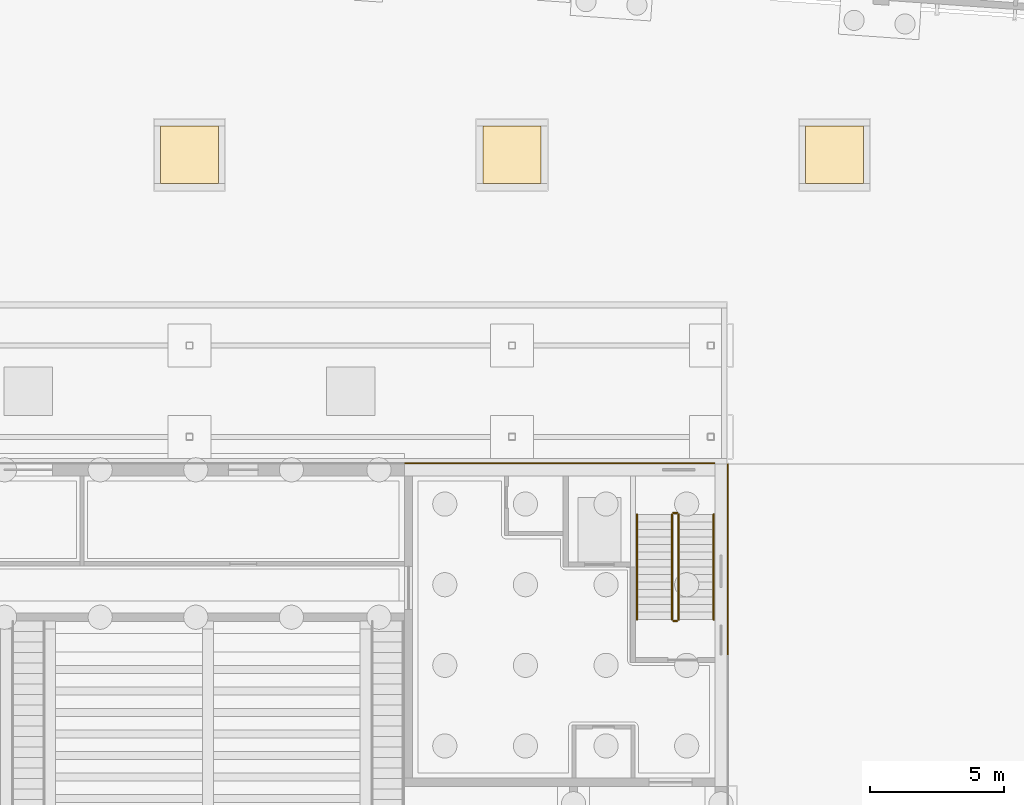
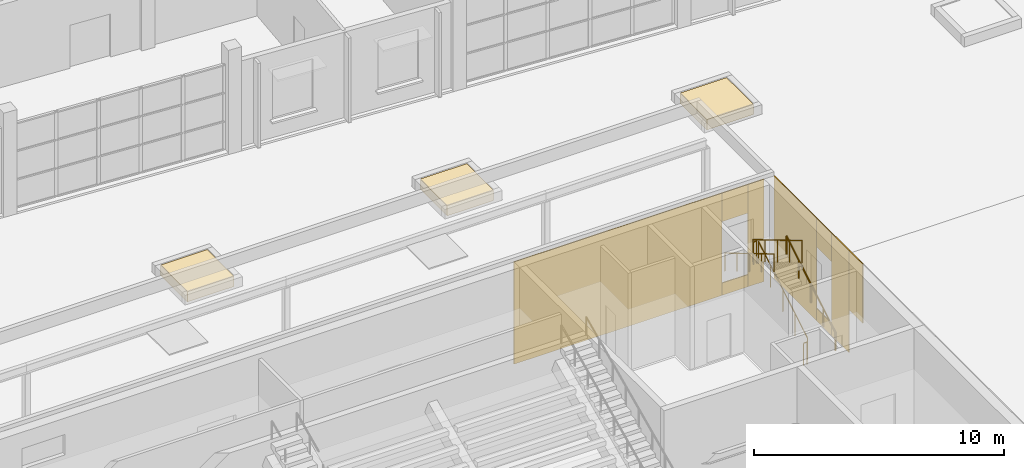
# One storey, part 151 of 157: 12 coverings, 6 railings.
"""IFC4 building model written with IfcOpenShell, lengths in metres."""

from ifc_helpers import new_model, si_unit, direction, frame, origin, origin_2d, place, context, subcontext, project, spatial, polyline, circle, outline, extrude, material, layer, layer_set, type_object, element, save


model = new_model("IFC4")

# Units and contexts
model_context = context("Model", 3, precision=1e-05, world=origin(), true_north=direction((0.0, 1.0)))
body_context = subcontext(model_context, "Body", "Model", "MODEL_VIEW")
ifc_project = project(units=[si_unit("LENGTHUNIT", "METRE"), si_unit("AREAUNIT", "SQUARE_METRE"), si_unit("VOLUMEUNIT", "CUBIC_METRE"), si_unit("PLANEANGLEUNIT", "RADIAN"), si_unit("MASSUNIT", "GRAM", prefix="KILO")], contexts=[model_context])

# Site, building, storey
site_placement = place(None, origin())
site = spatial("IfcSite", under=ifc_project, at=site_placement, CompositionType="ELEMENT")
building_placement = place(site_placement, origin())
building = spatial("IfcBuilding", under=site, at=building_placement, Name="Windward Yard Aquatics Centre", CompositionType="ELEMENT")
storey_placement = place(building_placement, origin())
storey = spatial("IfcBuildingStorey", under=building, at=storey_placement, Name="L00", CompositionType="ELEMENT", Elevation=0.0)

# Railings
ifc_material_1 = material(Name="Stainless steel 1.4529", Category="steel")
railing_type_1 = type_object("IfcRailingType", Name="H Guard Steel 1100", PredefinedType="GUARDRAIL", material=ifc_material_1)
railing_1_placement = place(storey_placement, frame((150.199951171875, 90.199951171875, 0.166748046875)))
element("IfcRailing", 1, at=railing_1_placement, inside=storey, type_object=railing_type_1, Name="L00 ST4 stair guard 1", PredefinedType="GUARDRAIL", context=body_context, shape_type="SweptSolid", body=[
    extrude(circle(Radius=0.02392578125, at=origin_2d()), frame((0.0, 0.0, 1.076171875), z_axis=(0.0, 0.859310244771, 0.511454693235), x_axis=(-1.0, 0.0, 0.0)), (0.0, 0.0, 1.0), 4.56201171875),
    extrude(circle(Radius=0.02099609375, at=origin_2d()), origin(), (0.0, 0.0, 1.0), 1.052001953125),
    extrude(circle(Radius=0.02099609375, at=origin_2d()), frame((0.0, 0.97998046875, 0.583251953125)), (0.0, 0.0, 1.0), 1.052001953125),
    extrude(circle(Radius=0.02099609375, at=origin_2d()), frame((0.0, 1.9599609375, 1.16650390625)), (0.0, 0.0, 1.0), 1.052001953125),
    extrude(circle(Radius=0.02099609375, at=origin_2d()), frame((0.0, 2.940185546875, 1.75)), (0.0, 0.0, 1.0), 1.052001953125),
    extrude(circle(Radius=0.02099609375, at=origin_2d()), frame((0.0, 3.920166015625, 2.333251953125)), (0.0, 0.0, 1.0), 1.052001953125),
])
railing_2_placement = place(storey_placement, frame((150.14990234375, 94.169921875, 2.5)))
element("IfcRailing", 2, at=railing_2_placement, inside=storey, type_object=railing_type_1, Name="L00 ST4 stair guard 2", PredefinedType="GUARDRAIL", context=body_context, shape_type="SweptSolid", body=[
    extrude(circle(Radius=0.02392578125, at=origin_2d()), frame((0.0, 0.0, 1.076171875), z_axis=(-1.0, 0.0, 0.0), x_axis=(0.0, -1.0, 0.0)), (0.0, 0.0, 1.0), 0.14990234375),
    extrude(circle(Radius=0.02099609375, at=origin_2d()), origin(), (0.0, 0.0, 1.0), 1.052001953125),
    extrude(circle(Radius=0.02099609375, at=origin_2d()), frame((-0.14990234375, 0.0, 0.0)), (0.0, 0.0, 1.0), 1.052001953125),
])
railing_3_placement = place(storey_placement, frame((149.949951171875, 94.1201171875, 2.666748046875)))
element("IfcRailing", 3, at=railing_3_placement, inside=storey, type_object=railing_type_1, Name="L00 ST4 stair guard 3", PredefinedType="GUARDRAIL", context=body_context, shape_type="SweptSolid", body=[
    extrude(circle(Radius=0.02392578125, at=origin_2d()), frame((0.0, 0.0, 1.076171875), z_axis=(0.0, -0.859310244771, 0.511454693235), x_axis=(1.0, 0.0, 0.0)), (0.0, 0.0, 1.0), 4.56201171875),
    extrude(circle(Radius=0.02099609375, at=origin_2d()), origin(), (0.0, 0.0, 1.0), 1.052001953125),
    extrude(circle(Radius=0.02099609375, at=origin_2d()), frame((0.0, -0.97998046875, 0.583251953125)), (0.0, 0.0, 1.0), 1.052001953125),
    extrude(circle(Radius=0.02099609375, at=origin_2d()), frame((0.0, -1.9599609375, 1.16650390625)), (0.0, 0.0, 1.0), 1.052001953125),
    extrude(circle(Radius=0.02099609375, at=origin_2d()), frame((0.0, -2.940185546875, 1.75)), (0.0, 0.0, 1.0), 1.052001953125),
    extrude(circle(Radius=0.02099609375, at=origin_2d()), frame((0.0, -3.920166015625, 2.333251953125)), (0.0, 0.0, 1.0), 1.052001953125),
])
railing_4_placement = place(storey_placement, frame((150.14990234375, 90.14990234375, 0.0)))
element("IfcRailing", 4, at=railing_4_placement, inside=storey, type_object=railing_type_1, Name="L00 ST4 stair guard 4", PredefinedType="GUARDRAIL", context=body_context, shape_type="SweptSolid", body=[
    extrude(circle(Radius=0.02392578125, at=origin_2d()), frame((0.0, 0.0, 1.076171875), z_axis=(-1.0, 0.0, 0.0), x_axis=(0.0, -1.0, 0.0)), (0.0, 0.0, 1.0), 0.14990234375),
    extrude(circle(Radius=0.02099609375, at=origin_2d()), origin(), (0.0, 0.0, 1.0), 1.052001953125),
    extrude(circle(Radius=0.02099609375, at=origin_2d()), frame((-0.14990234375, 0.0, 0.0)), (0.0, 0.0, 1.0), 1.052001953125),
])
railing_type_2 = type_object("IfcRailingType", Name="H Handrail Steel 900", PredefinedType="HANDRAIL", material=ifc_material_1)
railing_5_placement = place(storey_placement, frame((151.5, 90.199951171875, 0.166748046875)))
element("IfcRailing", 5, at=railing_5_placement, inside=storey, type_object=railing_type_2, Name="L00 ST4 stair handrail 1", PredefinedType="HANDRAIL", context=body_context, shape_type="SweptSolid", body=[
    extrude(circle(Radius=0.02392578125, at=origin_2d()), frame((0.0, 0.0, 0.8759765625), z_axis=(0.0, 0.859310244771, 0.511454693235), x_axis=(-1.0, 0.0, 0.0)), (0.0, 0.0, 1.0), 4.56201171875),
    extrude(circle(Radius=0.02099609375, at=origin_2d()), origin(), (0.0, 0.0, 1.0), 0.851806640625),
    extrude(circle(Radius=0.02099609375, at=origin_2d()), frame((0.0, 0.97998046875, 0.583251953125)), (0.0, 0.0, 1.0), 0.851806640625),
    extrude(circle(Radius=0.02099609375, at=origin_2d()), frame((0.0, 1.9599609375, 1.16650390625)), (0.0, 0.0, 1.0), 0.851806640625),
    extrude(circle(Radius=0.02099609375, at=origin_2d()), frame((0.0, 2.940185546875, 1.75)), (0.0, 0.0, 1.0), 0.851806640625),
    extrude(circle(Radius=0.02099609375, at=origin_2d()), frame((0.0, 3.920166015625, 2.333251953125)), (0.0, 0.0, 1.0), 0.851806640625),
])
railing_6_placement = place(storey_placement, frame((148.64990234375, 94.1201171875, 2.666748046875)))
element("IfcRailing", 6, at=railing_6_placement, inside=storey, type_object=railing_type_2, Name="L00 ST4 stair handrail 2", PredefinedType="HANDRAIL", context=body_context, shape_type="SweptSolid", body=[
    extrude(circle(Radius=0.02392578125, at=origin_2d()), frame((0.0, 0.0, 0.8759765625), z_axis=(0.0, -0.859310244771, 0.511454693235), x_axis=(1.0, 0.0, 0.0)), (0.0, 0.0, 1.0), 4.56201171875),
    extrude(circle(Radius=0.02099609375, at=origin_2d()), origin(), (0.0, 0.0, 1.0), 0.851806640625),
    extrude(circle(Radius=0.02099609375, at=origin_2d()), frame((0.0, -0.97998046875, 0.583251953125)), (0.0, 0.0, 1.0), 0.851806640625),
    extrude(circle(Radius=0.02099609375, at=origin_2d()), frame((0.0, -1.9599609375, 1.16650390625)), (0.0, 0.0, 1.0), 0.851806640625),
    extrude(circle(Radius=0.02099609375, at=origin_2d()), frame((0.0, -2.940185546875, 1.75)), (0.0, 0.0, 1.0), 0.851806640625),
    extrude(circle(Radius=0.02099609375, at=origin_2d()), frame((0.0, -3.920166015625, 2.333251953125)), (0.0, 0.0, 1.0), 0.851806640625),
])

# Coverings
ifc_material_2 = material(Name="Natural limestone cladding", Category="masonry")
ifc_layer_1 = layer(ifc_material_2, 0.0400390625)
ifc_layer_set_1 = layer_set([ifc_layer_1], Name="H natural stone cladding 40")
covering_type_1 = type_object("IfcCoveringType", Name="H natural stone cladding 40", PredefinedType="CLADDING", material=ifc_layer_set_1)
covering_1_placement = place(storey_placement, origin())
element("IfcCovering", 7, at=covering_1_placement, inside=storey, type_object=covering_type_1, Name="Stone cladding panel 12", PredefinedType="CLADDING", context=body_context, shape_type="SweptSolid", body=[
    extrude(outline(polyline([(152.0, 92.60009765625), (152.0400390625, 92.60009765625), (152.0400390625, 96.0), (152.0, 96.0), (152.0, 92.60009765625)])), origin(), (0.0, 0.0, 1.0), 5.0),
])
covering_2_placement = place(storey_placement, origin())
element("IfcCovering", 8, at=covering_2_placement, inside=storey, type_object=covering_type_1, Name="Stone cladding panel 13", PredefinedType="CLADDING", context=body_context, shape_type="SweptSolid", body=[
    extrude(outline(polyline([(152.0, 91.39990234375), (152.0400390625, 91.39990234375), (152.0400390625, 92.60009765625), (152.0, 92.60009765625), (152.0, 91.39990234375)])), origin(), (0.0, 0.0, 1.0), 0.60009765625),
])
covering_3_placement = place(storey_placement, frame((0.0, 0.0, 3.60009765625)))
element("IfcCovering", 9, at=covering_3_placement, inside=storey, type_object=covering_type_1, Name="Stone cladding panel 14", PredefinedType="CLADDING", context=body_context, shape_type="SweptSolid", body=[
    extrude(outline(polyline([(152.0, 91.39990234375), (152.0400390625, 91.39990234375), (152.0400390625, 92.60009765625), (152.0, 92.60009765625), (152.0, 91.39990234375)])), origin(), (0.0, 0.0, 1.0), 1.39990234375),
])
covering_4_placement = place(storey_placement, origin())
element("IfcCovering", 10, at=covering_4_placement, inside=storey, type_object=covering_type_1, Name="Stone cladding panel 15", PredefinedType="CLADDING", context=body_context, shape_type="SweptSolid", body=[
    extrude(outline(polyline([(152.0, 90.0), (152.0400390625, 90.0), (152.0400390625, 91.39990234375), (152.0, 91.39990234375), (152.0, 90.0)])), origin(), (0.0, 0.0, 1.0), 5.0),
])
covering_5_placement = place(storey_placement, frame((0.0, 0.0, 2.10009765625)))
element("IfcCovering", 11, at=covering_5_placement, inside=storey, type_object=covering_type_1, Name="Stone cladding panel 16", PredefinedType="CLADDING", context=body_context, shape_type="SweptSolid", body=[
    extrude(outline(polyline([(152.0, 88.89990234375), (152.0400390625, 88.89990234375), (152.0400390625, 90.0), (152.0, 90.0), (152.0, 88.89990234375)])), origin(), (0.0, 0.0, 1.0), 2.89990234375),
])
covering_6_placement = place(storey_placement, origin())
element("IfcCovering", 12, at=covering_6_placement, inside=storey, type_object=covering_type_1, Name="Stone cladding panel 38", PredefinedType="CLADDING", context=body_context, shape_type="SweptSolid", body=[
    extrude(outline(polyline([(150.800048828125, 96.0), (150.800048828125, 96.0400390625), (151.550048828125, 96.0400390625), (151.550048828125, 96.0), (150.800048828125, 96.0)])), origin(), (0.0, 0.0, 1.0), 5.0),
])
covering_7_placement = place(storey_placement, origin())
element("IfcCovering", 13, at=covering_7_placement, inside=storey, type_object=covering_type_1, Name="Stone cladding panel 39", PredefinedType="CLADDING", context=body_context, shape_type="SweptSolid", body=[
    extrude(outline(polyline([(149.60009765625, 96.0), (149.60009765625, 96.0400390625), (150.800048828125, 96.0400390625), (150.800048828125, 96.0), (149.60009765625, 96.0)])), origin(), (0.0, 0.0, 1.0), 0.60009765625),
])
covering_8_placement = place(storey_placement, frame((0.0, 0.0, 3.60009765625)))
element("IfcCovering", 14, at=covering_8_placement, inside=storey, type_object=covering_type_1, Name="Stone cladding panel 40", PredefinedType="CLADDING", context=body_context, shape_type="SweptSolid", body=[
    extrude(outline(polyline([(149.60009765625, 96.0), (149.60009765625, 96.0400390625), (150.800048828125, 96.0400390625), (150.800048828125, 96.0), (149.60009765625, 96.0)])), origin(), (0.0, 0.0, 1.0), 1.39990234375),
])
covering_9_placement = place(storey_placement, origin())
element("IfcCovering", 15, at=covering_9_placement, inside=storey, type_object=covering_type_1, Name="Stone cladding panel 41", PredefinedType="CLADDING", context=body_context, shape_type="SweptSolid", body=[
    extrude(outline(polyline([(140.0, 96.0), (140.0, 96.0400390625), (149.60009765625, 96.0400390625), (149.60009765625, 96.0), (140.0, 96.0)])), origin(), (0.0, 0.0, 1.0), 5.0),
])
ifc_material_3 = material(Name="Planting soil")
ifc_layer_2 = layer(ifc_material_3, 0.448, Name="Planting")
ifc_material_4 = material(Name="Filter fabric")
ifc_layer_3 = layer(ifc_material_4, 0.002, Name="Filter")
ifc_material_5 = material(Name="Drainage board")
ifc_layer_4 = layer(ifc_material_5, 0.05, Name="Drainage")
ifc_layer_set_2 = layer_set([ifc_layer_2, ifc_layer_3, ifc_layer_4], Name="X Planting Bed Soil 400")
covering_type_2 = type_object("IfcCoveringType", Name="X Planting Bed Soil 400", PredefinedType="USERDEFINED", material=ifc_layer_set_2)
covering_10_placement = place(storey_placement, frame((0.0, 0.0, -0.10009765625)))
element("IfcCovering", 16, at=covering_10_placement, inside=storey, type_object=covering_type_2, Name="Tree well", ObjectType="PLANTING BED", PredefinedType="USERDEFINED", context=body_context, shape_type="SweptSolid", body=[
    extrude(outline(polyline([(130.925048828125, 106.425048828125), (133.074951171875, 106.425048828125), (133.074951171875, 108.574951171875), (130.925048828125, 108.574951171875), (130.925048828125, 106.425048828125)])), origin(), (0.0, 0.0, 1.0), 0.5),
])
covering_11_placement = place(storey_placement, frame((0.0, 0.0, -0.10009765625)))
element("IfcCovering", 17, at=covering_11_placement, inside=storey, type_object=covering_type_2, Name="Tree well", ObjectType="PLANTING BED", PredefinedType="USERDEFINED", context=body_context, shape_type="SweptSolid", body=[
    extrude(outline(polyline([(142.925048828125, 106.425048828125), (145.074951171875, 106.425048828125), (145.074951171875, 108.574951171875), (142.925048828125, 108.574951171875), (142.925048828125, 106.425048828125)])), origin(), (0.0, 0.0, 1.0), 0.5),
])
covering_12_placement = place(storey_placement, frame((0.0, 0.0, -0.10009765625)))
element("IfcCovering", 18, at=covering_12_placement, inside=storey, type_object=covering_type_2, Name="Tree well", ObjectType="PLANTING BED", PredefinedType="USERDEFINED", context=body_context, shape_type="SweptSolid", body=[
    extrude(outline(polyline([(154.925048828125, 106.425048828125), (157.074951171875, 106.425048828125), (157.074951171875, 108.574951171875), (154.925048828125, 108.574951171875), (154.925048828125, 106.425048828125)])), origin(), (0.0, 0.0, 1.0), 0.5),
])

save(model, "model.ifc")
